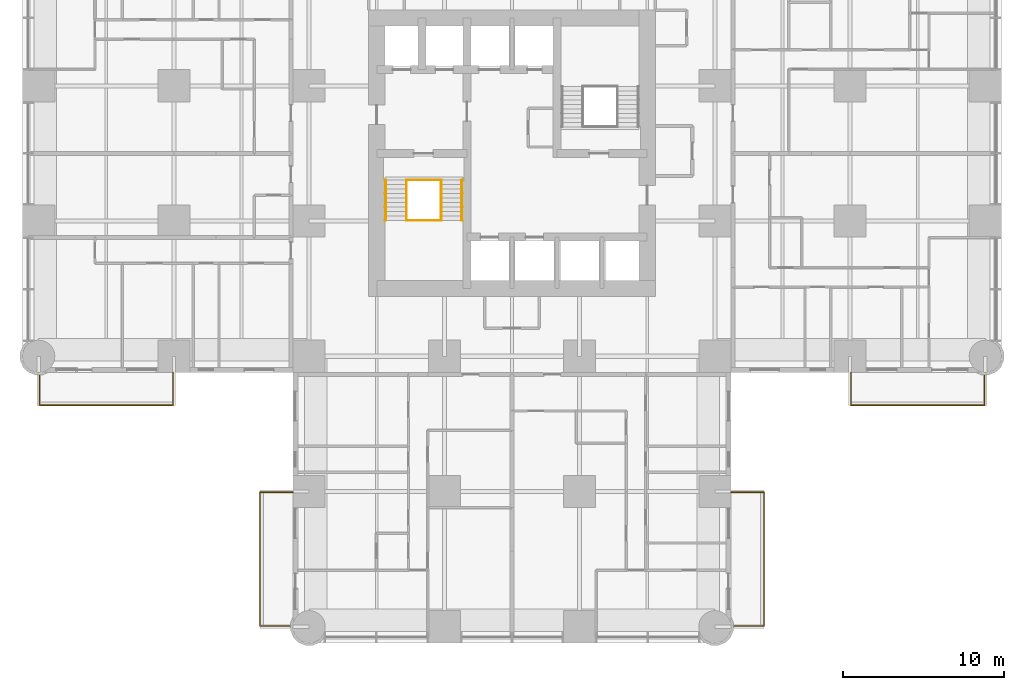
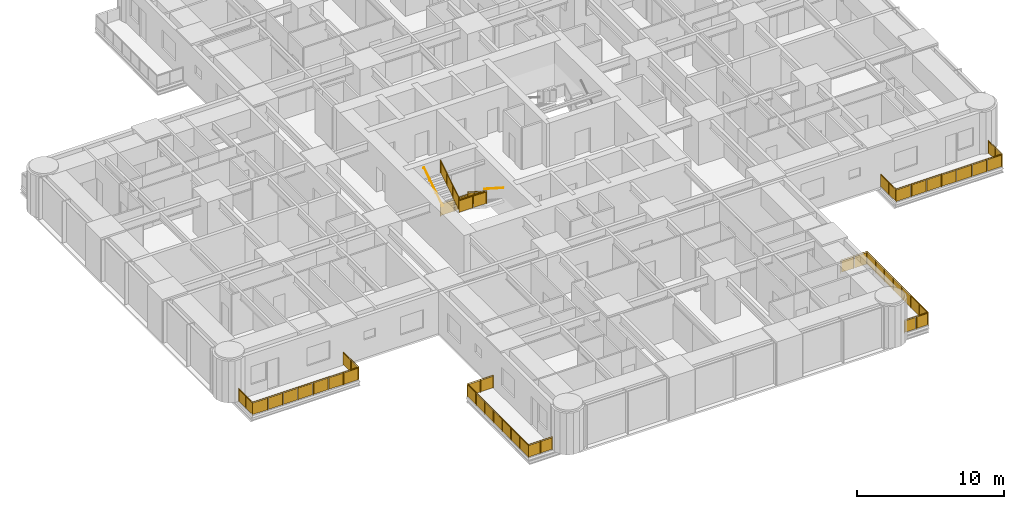
# One storey, part 16 of 17: 10 railings.
"""IFC4 building model written with IfcOpenShell, lengths in metres."""

from ifc_helpers import new_model, si_unit, direction, frame, origin, origin_2d, place, context, subcontext, project, spatial, polyline, circle, outline, extrude, material, constituent, constituent_set, type_object, element, save


model = new_model("IFC4")

# Units and contexts
model_context = context("Model", 3, precision=1e-05, world=origin(), true_north=direction((0.0, 1.0)))
body_context = subcontext(model_context, "Body", "Model", "MODEL_VIEW")
ifc_project = project(units=[si_unit("LENGTHUNIT", "METRE"), si_unit("AREAUNIT", "SQUARE_METRE"), si_unit("VOLUMEUNIT", "CUBIC_METRE"), si_unit("PLANEANGLEUNIT", "RADIAN"), si_unit("MASSUNIT", "GRAM", prefix="KILO")], contexts=[model_context])

# Site, building, storey
site_placement = place(None, origin())
site = spatial("IfcSite", under=ifc_project, at=site_placement, CompositionType="ELEMENT")
building_placement = place(site_placement, origin())
building = spatial("IfcBuilding", under=site, at=building_placement, Name="Torre Alcanfor", CompositionType="ELEMENT")
storey_placement = place(building_placement, frame((0.0, 0.0, 95.699951171875)))
storey = spatial("IfcBuildingStorey", under=building, at=storey_placement, Name="L24", CompositionType="ELEMENT", Elevation=95.699951171875)

# Railings
ifc_material_1 = material(Name="Laminated safety glass", Category="glass")
ifc_constituent_1 = constituent(ifc_material_1, Name="Infill")
ifc_material_2 = material(Name="Stainless steel ASTM A554 Grade MT 316L tube", Category="steel")
ifc_constituent_2 = constituent(ifc_material_2, Name="Posts and rail")
ifc_constituent_set = constituent_set(constituents=[ifc_constituent_1, ifc_constituent_2], Name="Balcony guard glass 1100")
railing_type_1 = type_object("IfcRailingType", Name="Balcony guard glass 1100", PredefinedType="BALUSTRADE", material=ifc_constituent_set)
railing_1_placement = place(storey_placement, frame((50.449951171875, 15.800048828125, 0.0)))
element("IfcRailing", 1, at=railing_1_placement, inside=storey, type_object=railing_type_1, Name="Balcony guard L24-E2", PredefinedType="BALUSTRADE", context=body_context, shape_type="SweptSolid", body=[
    extrude(circle(Radius=0.02392578125, at=origin_2d()), frame((0.0, 0.0, 1.076171875), z_axis=(0.0, -1.0, 0.0), x_axis=(1.0, 0.0, 0.0)), (0.0, 0.0, 1.0), 2.050048828125),
    extrude(circle(Radius=0.02392578125, at=origin_2d()), frame((0.0, -2.050048828125, 1.076171875), z_axis=(1.0, 0.0, 0.0), x_axis=(0.0, 1.0, 0.0)), (0.0, 0.0, 1.0), 8.300048828125),
    extrude(circle(Radius=0.02392578125, at=origin_2d()), frame((8.300048828125, -2.050048828125, 1.076171875), z_axis=(0.0, 1.0, 0.0), x_axis=(-1.0, 0.0, 0.0)), (0.0, 0.0, 1.0), 1.868896484375),
    extrude(circle(Radius=0.02099609375, at=origin_2d()), origin(), (0.0, 0.0, 1.0), 1.052001953125),
    extrude(circle(Radius=0.02099609375, at=origin_2d()), frame((0.0, -1.02490234375, 0.0)), (0.0, 0.0, 1.0), 1.052001953125),
    extrude(circle(Radius=0.02099609375, at=origin_2d()), frame((0.0, -2.050048828125, 0.0)), (0.0, 0.0, 1.0), 1.052001953125),
    extrude(circle(Radius=0.02099609375, at=origin_2d()), frame((1.185791015625, -2.050048828125, 0.0)), (0.0, 0.0, 1.0), 1.052001953125),
    extrude(circle(Radius=0.02099609375, at=origin_2d()), frame((2.371337890625, -2.050048828125, 0.0)), (0.0, 0.0, 1.0), 1.052001953125),
    extrude(circle(Radius=0.02099609375, at=origin_2d()), frame((3.55712890625, -2.050048828125, 0.0)), (0.0, 0.0, 1.0), 1.052001953125),
    extrude(circle(Radius=0.02099609375, at=origin_2d()), frame((4.742919921875, -2.050048828125, 0.0)), (0.0, 0.0, 1.0), 1.052001953125),
    extrude(circle(Radius=0.02099609375, at=origin_2d()), frame((5.9287109375, -2.050048828125, 0.0)), (0.0, 0.0, 1.0), 1.052001953125),
    extrude(circle(Radius=0.02099609375, at=origin_2d()), frame((7.1142578125, -2.050048828125, 0.0)), (0.0, 0.0, 1.0), 1.052001953125),
    extrude(circle(Radius=0.02099609375, at=origin_2d()), frame((8.300048828125, -2.050048828125, 0.0)), (0.0, 0.0, 1.0), 1.052001953125),
    extrude(circle(Radius=0.02099609375, at=origin_2d()), frame((8.300048828125, -1.11572265625, 0.0)), (0.0, 0.0, 1.0), 1.052001953125),
    extrude(circle(Radius=0.02099609375, at=origin_2d()), frame((8.300048828125, -0.18115234375, 0.0)), (0.0, 0.0, 1.0), 1.052001953125),
    extrude(outline(polyline([(0.041015625, 0.050048828125), (0.984130859375, 0.050048828125), (0.984130859375, 1.001953125), (0.041015625, 1.001953125), (0.041015625, 0.050048828125)])), frame((0.005859375, 0.0, 0.0), z_axis=(-1.0, 0.0, 0.0), x_axis=(0.0, -1.0, 0.0)), (0.0, 0.0, 1.0), 0.011962890625),
    extrude(outline(polyline([(1.06591796875, 0.050048828125), (2.009033203125, 0.050048828125), (2.009033203125, 1.001953125), (1.06591796875, 1.001953125), (1.06591796875, 0.050048828125)])), frame((0.005859375, 0.0, 0.0), z_axis=(-1.0, 0.0, 0.0), x_axis=(0.0, -1.0, 0.0)), (0.0, 0.0, 1.0), 0.011962890625),
    extrude(outline(polyline([(0.041015625, 0.050048828125), (1.144775390625, 0.050048828125), (1.144775390625, 1.001953125), (0.041015625, 1.001953125), (0.041015625, 0.050048828125)])), frame((0.0, -2.0439453125, 0.0), z_axis=(0.0, -1.0, 0.0), x_axis=(1.0, 0.0, 0.0)), (0.0, 0.0, 1.0), 0.011962890625),
    extrude(outline(polyline([(1.226806640625, 0.050048828125), (2.330322265625, 0.050048828125), (2.330322265625, 1.001953125), (1.226806640625, 1.001953125), (1.226806640625, 0.050048828125)])), frame((0.0, -2.0439453125, 0.0), z_axis=(0.0, -1.0, 0.0), x_axis=(1.0, 0.0, 0.0)), (0.0, 0.0, 1.0), 0.011962890625),
    extrude(outline(polyline([(2.412353515625, 0.050048828125), (3.51611328125, 0.050048828125), (3.51611328125, 1.001953125), (2.412353515625, 1.001953125), (2.412353515625, 0.050048828125)])), frame((0.0, -2.0439453125, 0.0), z_axis=(0.0, -1.0, 0.0), x_axis=(1.0, 0.0, 0.0)), (0.0, 0.0, 1.0), 0.011962890625),
    extrude(outline(polyline([(3.59814453125, 0.050048828125), (4.701904296875, 0.050048828125), (4.701904296875, 1.001953125), (3.59814453125, 1.001953125), (3.59814453125, 0.050048828125)])), frame((0.0, -2.0439453125, 0.0), z_axis=(0.0, -1.0, 0.0), x_axis=(1.0, 0.0, 0.0)), (0.0, 0.0, 1.0), 0.011962890625),
    extrude(outline(polyline([(4.783935546875, 0.050048828125), (5.8876953125, 0.050048828125), (5.8876953125, 1.001953125), (4.783935546875, 1.001953125), (4.783935546875, 0.050048828125)])), frame((0.0, -2.0439453125, 0.0), z_axis=(0.0, -1.0, 0.0), x_axis=(1.0, 0.0, 0.0)), (0.0, 0.0, 1.0), 0.011962890625),
    extrude(outline(polyline([(5.9697265625, 0.050048828125), (7.0732421875, 0.050048828125), (7.0732421875, 1.001953125), (5.9697265625, 1.001953125), (5.9697265625, 0.050048828125)])), frame((0.0, -2.0439453125, 0.0), z_axis=(0.0, -1.0, 0.0), x_axis=(1.0, 0.0, 0.0)), (0.0, 0.0, 1.0), 0.011962890625),
    extrude(outline(polyline([(7.1552734375, 0.050048828125), (8.259033203125, 0.050048828125), (8.259033203125, 1.001953125), (7.1552734375, 1.001953125), (7.1552734375, 0.050048828125)])), frame((0.0, -2.0439453125, 0.0), z_axis=(0.0, -1.0, 0.0), x_axis=(1.0, 0.0, 0.0)), (0.0, 0.0, 1.0), 0.011962890625),
    extrude(outline(polyline([(0.041015625, 0.050048828125), (0.8935546875, 0.050048828125), (0.8935546875, 1.001953125), (0.041015625, 1.001953125), (0.041015625, 0.050048828125)])), frame((8.2939453125, -2.050048828125, 0.0), z_axis=(1.0, 0.0, 0.0), x_axis=(0.0, 1.0, 0.0)), (0.0, 0.0, 1.0), 0.011962890625),
    extrude(outline(polyline([(0.975341796875, 0.050048828125), (1.827880859375, 0.050048828125), (1.827880859375, 1.001953125), (0.975341796875, 1.001953125), (0.975341796875, 0.050048828125)])), frame((8.2939453125, -2.050048828125, 0.0), z_axis=(1.0, 0.0, 0.0), x_axis=(0.0, 1.0, 0.0)), (0.0, 0.0, 1.0), 0.011962890625),
])
railing_2_placement = place(storey_placement, frame((43.0, 8.35009765625, 0.0)))
element("IfcRailing", 2, at=railing_2_placement, inside=storey, type_object=railing_type_1, Name="Balcony guard L24-S1", PredefinedType="BALUSTRADE", context=body_context, shape_type="SweptSolid", body=[
    extrude(circle(Radius=0.02392578125, at=origin_2d()), frame((0.0, 0.0, 1.076171875), z_axis=(1.0, 0.0, 0.0), x_axis=(0.0, 1.0, 0.0)), (0.0, 0.0, 1.0), 2.050048828125),
    extrude(circle(Radius=0.02392578125, at=origin_2d()), frame((2.050048828125, 0.0, 1.076171875), z_axis=(0.0, -1.0, 0.0), x_axis=(1.0, 0.0, 0.0)), (0.0, 0.0, 1.0), 8.300048828125),
    extrude(circle(Radius=0.02392578125, at=origin_2d()), frame((2.050048828125, -8.300048828125, 1.076171875), z_axis=(-1.0, 0.0, 0.0), x_axis=(0.0, -1.0, 0.0)), (0.0, 0.0, 1.0), 1.869140625),
    extrude(circle(Radius=0.02099609375, at=origin_2d()), origin(), (0.0, 0.0, 1.0), 1.052001953125),
    extrude(circle(Radius=0.02099609375, at=origin_2d()), frame((1.02490234375, 0.0, 0.0)), (0.0, 0.0, 1.0), 1.052001953125),
    extrude(circle(Radius=0.02099609375, at=origin_2d()), frame((2.050048828125, 0.0, 0.0)), (0.0, 0.0, 1.0), 1.052001953125),
    extrude(circle(Radius=0.02099609375, at=origin_2d()), frame((2.050048828125, -1.185791015625, 0.0)), (0.0, 0.0, 1.0), 1.052001953125),
    extrude(circle(Radius=0.02099609375, at=origin_2d()), frame((2.050048828125, -2.371337890625, 0.0)), (0.0, 0.0, 1.0), 1.052001953125),
    extrude(circle(Radius=0.02099609375, at=origin_2d()), frame((2.050048828125, -3.55712890625, 0.0)), (0.0, 0.0, 1.0), 1.052001953125),
    extrude(circle(Radius=0.02099609375, at=origin_2d()), frame((2.050048828125, -4.742919921875, 0.0)), (0.0, 0.0, 1.0), 1.052001953125),
    extrude(circle(Radius=0.02099609375, at=origin_2d()), frame((2.050048828125, -5.9287109375, 0.0)), (0.0, 0.0, 1.0), 1.052001953125),
    extrude(circle(Radius=0.02099609375, at=origin_2d()), frame((2.050048828125, -7.1142578125, 0.0)), (0.0, 0.0, 1.0), 1.052001953125),
    extrude(circle(Radius=0.02099609375, at=origin_2d()), frame((2.050048828125, -8.300048828125, 0.0)), (0.0, 0.0, 1.0), 1.052001953125),
    extrude(circle(Radius=0.02099609375, at=origin_2d()), frame((1.115478515625, -8.300048828125, 0.0)), (0.0, 0.0, 1.0), 1.052001953125),
    extrude(circle(Radius=0.02099609375, at=origin_2d()), frame((0.180908203125, -8.300048828125, 0.0)), (0.0, 0.0, 1.0), 1.052001953125),
    extrude(outline(polyline([(0.041015625, 0.050048828125), (0.984130859375, 0.050048828125), (0.984130859375, 1.001953125), (0.041015625, 1.001953125), (0.041015625, 0.050048828125)])), frame((0.0, 0.005859375, 0.0), z_axis=(0.0, -1.0, 0.0), x_axis=(1.0, 0.0, 0.0)), (0.0, 0.0, 1.0), 0.011962890625),
    extrude(outline(polyline([(1.06591796875, 0.050048828125), (2.009033203125, 0.050048828125), (2.009033203125, 1.001953125), (1.06591796875, 1.001953125), (1.06591796875, 0.050048828125)])), frame((0.0, 0.005859375, 0.0), z_axis=(0.0, -1.0, 0.0), x_axis=(1.0, 0.0, 0.0)), (0.0, 0.0, 1.0), 0.011962890625),
    extrude(outline(polyline([(0.041015625, 0.050048828125), (1.144775390625, 0.050048828125), (1.144775390625, 1.001953125), (0.041015625, 1.001953125), (0.041015625, 0.050048828125)])), frame((2.05615234375, 0.0, 0.0), z_axis=(-1.0, 0.0, 0.0), x_axis=(0.0, -1.0, 0.0)), (0.0, 0.0, 1.0), 0.011962890625),
    extrude(outline(polyline([(1.226806640625, 0.050048828125), (2.330322265625, 0.050048828125), (2.330322265625, 1.001953125), (1.226806640625, 1.001953125), (1.226806640625, 0.050048828125)])), frame((2.05615234375, 0.0, 0.0), z_axis=(-1.0, 0.0, 0.0), x_axis=(0.0, -1.0, 0.0)), (0.0, 0.0, 1.0), 0.011962890625),
    extrude(outline(polyline([(2.412353515625, 0.050048828125), (3.51611328125, 0.050048828125), (3.51611328125, 1.001953125), (2.412353515625, 1.001953125), (2.412353515625, 0.050048828125)])), frame((2.05615234375, 0.0, 0.0), z_axis=(-1.0, 0.0, 0.0), x_axis=(0.0, -1.0, 0.0)), (0.0, 0.0, 1.0), 0.011962890625),
    extrude(outline(polyline([(3.59814453125, 0.050048828125), (4.701904296875, 0.050048828125), (4.701904296875, 1.001953125), (3.59814453125, 1.001953125), (3.59814453125, 0.050048828125)])), frame((2.05615234375, 0.0, 0.0), z_axis=(-1.0, 0.0, 0.0), x_axis=(0.0, -1.0, 0.0)), (0.0, 0.0, 1.0), 0.011962890625),
    extrude(outline(polyline([(4.783935546875, 0.050048828125), (5.8876953125, 0.050048828125), (5.8876953125, 1.001953125), (4.783935546875, 1.001953125), (4.783935546875, 0.050048828125)])), frame((2.05615234375, 0.0, 0.0), z_axis=(-1.0, 0.0, 0.0), x_axis=(0.0, -1.0, 0.0)), (0.0, 0.0, 1.0), 0.011962890625),
    extrude(outline(polyline([(5.9697265625, 0.050048828125), (7.0732421875, 0.050048828125), (7.0732421875, 1.001953125), (5.9697265625, 1.001953125), (5.9697265625, 0.050048828125)])), frame((2.05615234375, 0.0, 0.0), z_axis=(-1.0, 0.0, 0.0), x_axis=(0.0, -1.0, 0.0)), (0.0, 0.0, 1.0), 0.011962890625),
    extrude(outline(polyline([(7.1552734375, 0.050048828125), (8.259033203125, 0.050048828125), (8.259033203125, 1.001953125), (7.1552734375, 1.001953125), (7.1552734375, 0.050048828125)])), frame((2.05615234375, 0.0, 0.0), z_axis=(-1.0, 0.0, 0.0), x_axis=(0.0, -1.0, 0.0)), (0.0, 0.0, 1.0), 0.011962890625),
    extrude(outline(polyline([(0.041015625, 0.050048828125), (0.8935546875, 0.050048828125), (0.8935546875, 1.001953125), (0.041015625, 1.001953125), (0.041015625, 0.050048828125)])), frame((2.050048828125, -8.30615234375, 0.0), z_axis=(0.0, 1.0, 0.0), x_axis=(-1.0, 0.0, 0.0)), (0.0, 0.0, 1.0), 0.011962890625),
    extrude(outline(polyline([(0.9755859375, 0.050048828125), (1.828125, 0.050048828125), (1.828125, 1.001953125), (0.9755859375, 1.001953125), (0.9755859375, 0.050048828125)])), frame((2.050048828125, -8.30615234375, 0.0), z_axis=(0.0, 1.0, 0.0), x_axis=(-1.0, 0.0, 0.0)), (0.0, 0.0, 1.0), 0.011962890625),
])
railing_3_placement = place(storey_placement, frame((15.800048828125, 8.35009765625, 0.0)))
element("IfcRailing", 3, at=railing_3_placement, inside=storey, type_object=railing_type_1, Name="Balcony guard L24-S2", PredefinedType="BALUSTRADE", context=body_context, shape_type="SweptSolid", body=[
    extrude(circle(Radius=0.02392578125, at=origin_2d()), frame((0.0, 0.0, 1.076171875), z_axis=(-1.0, 0.0, 0.0), x_axis=(0.0, -1.0, 0.0)), (0.0, 0.0, 1.0), 2.050048828125),
    extrude(circle(Radius=0.02392578125, at=origin_2d()), frame((-2.050048828125, 0.0, 1.076171875), z_axis=(0.0, -1.0, 0.0), x_axis=(1.0, 0.0, 0.0)), (0.0, 0.0, 1.0), 8.300048828125),
    extrude(circle(Radius=0.02392578125, at=origin_2d()), frame((-2.050048828125, -8.300048828125, 1.076171875), z_axis=(1.0, 0.0, 0.0), x_axis=(0.0, 1.0, 0.0)), (0.0, 0.0, 1.0), 1.868896484375),
    extrude(circle(Radius=0.02099609375, at=origin_2d()), origin(), (0.0, 0.0, 1.0), 1.052001953125),
    extrude(circle(Radius=0.02099609375, at=origin_2d()), frame((-1.02490234375, 0.0, 0.0)), (0.0, 0.0, 1.0), 1.052001953125),
    extrude(circle(Radius=0.02099609375, at=origin_2d()), frame((-2.050048828125, 0.0, 0.0)), (0.0, 0.0, 1.0), 1.052001953125),
    extrude(circle(Radius=0.02099609375, at=origin_2d()), frame((-2.050048828125, -1.185791015625, 0.0)), (0.0, 0.0, 1.0), 1.052001953125),
    extrude(circle(Radius=0.02099609375, at=origin_2d()), frame((-2.050048828125, -2.371337890625, 0.0)), (0.0, 0.0, 1.0), 1.052001953125),
    extrude(circle(Radius=0.02099609375, at=origin_2d()), frame((-2.050048828125, -3.55712890625, 0.0)), (0.0, 0.0, 1.0), 1.052001953125),
    extrude(circle(Radius=0.02099609375, at=origin_2d()), frame((-2.050048828125, -4.742919921875, 0.0)), (0.0, 0.0, 1.0), 1.052001953125),
    extrude(circle(Radius=0.02099609375, at=origin_2d()), frame((-2.050048828125, -5.9287109375, 0.0)), (0.0, 0.0, 1.0), 1.052001953125),
    extrude(circle(Radius=0.02099609375, at=origin_2d()), frame((-2.050048828125, -7.1142578125, 0.0)), (0.0, 0.0, 1.0), 1.052001953125),
    extrude(circle(Radius=0.02099609375, at=origin_2d()), frame((-2.050048828125, -8.300048828125, 0.0)), (0.0, 0.0, 1.0), 1.052001953125),
    extrude(circle(Radius=0.02099609375, at=origin_2d()), frame((-1.11572265625, -8.300048828125, 0.0)), (0.0, 0.0, 1.0), 1.052001953125),
    extrude(circle(Radius=0.02099609375, at=origin_2d()), frame((-0.18115234375, -8.300048828125, 0.0)), (0.0, 0.0, 1.0), 1.052001953125),
    extrude(outline(polyline([(0.041015625, 0.050048828125), (0.984130859375, 0.050048828125), (0.984130859375, 1.001953125), (0.041015625, 1.001953125), (0.041015625, 0.050048828125)])), frame((0.0, -0.005859375, 0.0), z_axis=(0.0, 1.0, 0.0), x_axis=(-1.0, 0.0, 0.0)), (0.0, 0.0, 1.0), 0.011962890625),
    extrude(outline(polyline([(1.06591796875, 0.050048828125), (2.009033203125, 0.050048828125), (2.009033203125, 1.001953125), (1.06591796875, 1.001953125), (1.06591796875, 0.050048828125)])), frame((0.0, -0.005859375, 0.0), z_axis=(0.0, 1.0, 0.0), x_axis=(-1.0, 0.0, 0.0)), (0.0, 0.0, 1.0), 0.011962890625),
    extrude(outline(polyline([(0.041015625, 0.050048828125), (1.144775390625, 0.050048828125), (1.144775390625, 1.001953125), (0.041015625, 1.001953125), (0.041015625, 0.050048828125)])), frame((-2.0439453125, 0.0, 0.0), z_axis=(-1.0, 0.0, 0.0), x_axis=(0.0, -1.0, 0.0)), (0.0, 0.0, 1.0), 0.011962890625),
    extrude(outline(polyline([(1.226806640625, 0.050048828125), (2.330322265625, 0.050048828125), (2.330322265625, 1.001953125), (1.226806640625, 1.001953125), (1.226806640625, 0.050048828125)])), frame((-2.0439453125, 0.0, 0.0), z_axis=(-1.0, 0.0, 0.0), x_axis=(0.0, -1.0, 0.0)), (0.0, 0.0, 1.0), 0.011962890625),
    extrude(outline(polyline([(2.412353515625, 0.050048828125), (3.51611328125, 0.050048828125), (3.51611328125, 1.001953125), (2.412353515625, 1.001953125), (2.412353515625, 0.050048828125)])), frame((-2.0439453125, 0.0, 0.0), z_axis=(-1.0, 0.0, 0.0), x_axis=(0.0, -1.0, 0.0)), (0.0, 0.0, 1.0), 0.011962890625),
    extrude(outline(polyline([(3.59814453125, 0.050048828125), (4.701904296875, 0.050048828125), (4.701904296875, 1.001953125), (3.59814453125, 1.001953125), (3.59814453125, 0.050048828125)])), frame((-2.0439453125, 0.0, 0.0), z_axis=(-1.0, 0.0, 0.0), x_axis=(0.0, -1.0, 0.0)), (0.0, 0.0, 1.0), 0.011962890625),
    extrude(outline(polyline([(4.783935546875, 0.050048828125), (5.8876953125, 0.050048828125), (5.8876953125, 1.001953125), (4.783935546875, 1.001953125), (4.783935546875, 0.050048828125)])), frame((-2.0439453125, 0.0, 0.0), z_axis=(-1.0, 0.0, 0.0), x_axis=(0.0, -1.0, 0.0)), (0.0, 0.0, 1.0), 0.011962890625),
    extrude(outline(polyline([(5.9697265625, 0.050048828125), (7.0732421875, 0.050048828125), (7.0732421875, 1.001953125), (5.9697265625, 1.001953125), (5.9697265625, 0.050048828125)])), frame((-2.0439453125, 0.0, 0.0), z_axis=(-1.0, 0.0, 0.0), x_axis=(0.0, -1.0, 0.0)), (0.0, 0.0, 1.0), 0.011962890625),
    extrude(outline(polyline([(7.1552734375, 0.050048828125), (8.259033203125, 0.050048828125), (8.259033203125, 1.001953125), (7.1552734375, 1.001953125), (7.1552734375, 0.050048828125)])), frame((-2.0439453125, 0.0, 0.0), z_axis=(-1.0, 0.0, 0.0), x_axis=(0.0, -1.0, 0.0)), (0.0, 0.0, 1.0), 0.011962890625),
    extrude(outline(polyline([(0.041015625, 0.050048828125), (0.8935546875, 0.050048828125), (0.8935546875, 1.001953125), (0.041015625, 1.001953125), (0.041015625, 0.050048828125)])), frame((-2.050048828125, -8.2939453125, 0.0), z_axis=(0.0, -1.0, 0.0), x_axis=(1.0, 0.0, 0.0)), (0.0, 0.0, 1.0), 0.011962890625),
    extrude(outline(polyline([(0.975341796875, 0.050048828125), (1.827880859375, 0.050048828125), (1.827880859375, 1.001953125), (0.975341796875, 1.001953125), (0.975341796875, 0.050048828125)])), frame((-2.050048828125, -8.2939453125, 0.0), z_axis=(0.0, -1.0, 0.0), x_axis=(1.0, 0.0, 0.0)), (0.0, 0.0, 1.0), 0.011962890625),
])
railing_4_placement = place(storey_placement, frame((8.35009765625, 15.800048828125, 0.0)))
element("IfcRailing", 4, at=railing_4_placement, inside=storey, type_object=railing_type_1, Name="Balcony guard L24-W1", PredefinedType="BALUSTRADE", context=body_context, shape_type="SweptSolid", body=[
    extrude(circle(Radius=0.02392578125, at=origin_2d()), frame((0.0, 0.0, 1.076171875), z_axis=(0.0, -1.0, 0.0), x_axis=(1.0, 0.0, 0.0)), (0.0, 0.0, 1.0), 2.050048828125),
    extrude(circle(Radius=0.02392578125, at=origin_2d()), frame((0.0, -2.050048828125, 1.076171875), z_axis=(-1.0, 0.0, 0.0), x_axis=(0.0, -1.0, 0.0)), (0.0, 0.0, 1.0), 8.300048828125),
    extrude(circle(Radius=0.02392578125, at=origin_2d()), frame((-8.300048828125, -2.050048828125, 1.076171875), z_axis=(0.0, 1.0, 0.0), x_axis=(-1.0, 0.0, 0.0)), (0.0, 0.0, 1.0), 1.868896484375),
    extrude(circle(Radius=0.02099609375, at=origin_2d()), origin(), (0.0, 0.0, 1.0), 1.052001953125),
    extrude(circle(Radius=0.02099609375, at=origin_2d()), frame((0.0, -1.02490234375, 0.0)), (0.0, 0.0, 1.0), 1.052001953125),
    extrude(circle(Radius=0.02099609375, at=origin_2d()), frame((0.0, -2.050048828125, 0.0)), (0.0, 0.0, 1.0), 1.052001953125),
    extrude(circle(Radius=0.02099609375, at=origin_2d()), frame((-1.185791015625, -2.050048828125, 0.0)), (0.0, 0.0, 1.0), 1.052001953125),
    extrude(circle(Radius=0.02099609375, at=origin_2d()), frame((-2.371337890625, -2.050048828125, 0.0)), (0.0, 0.0, 1.0), 1.052001953125),
    extrude(circle(Radius=0.02099609375, at=origin_2d()), frame((-3.55712890625, -2.050048828125, 0.0)), (0.0, 0.0, 1.0), 1.052001953125),
    extrude(circle(Radius=0.02099609375, at=origin_2d()), frame((-4.742919921875, -2.050048828125, 0.0)), (0.0, 0.0, 1.0), 1.052001953125),
    extrude(circle(Radius=0.02099609375, at=origin_2d()), frame((-5.9287109375, -2.050048828125, 0.0)), (0.0, 0.0, 1.0), 1.052001953125),
    extrude(circle(Radius=0.02099609375, at=origin_2d()), frame((-7.1142578125, -2.050048828125, 0.0)), (0.0, 0.0, 1.0), 1.052001953125),
    extrude(circle(Radius=0.02099609375, at=origin_2d()), frame((-8.300048828125, -2.050048828125, 0.0)), (0.0, 0.0, 1.0), 1.052001953125),
    extrude(circle(Radius=0.02099609375, at=origin_2d()), frame((-8.300048828125, -1.11572265625, 0.0)), (0.0, 0.0, 1.0), 1.052001953125),
    extrude(circle(Radius=0.02099609375, at=origin_2d()), frame((-8.300048828125, -0.18115234375, 0.0)), (0.0, 0.0, 1.0), 1.052001953125),
    extrude(outline(polyline([(0.041015625, 0.050048828125), (0.984130859375, 0.050048828125), (0.984130859375, 1.001953125), (0.041015625, 1.001953125), (0.041015625, 0.050048828125)])), frame((0.005859375, 0.0, 0.0), z_axis=(-1.0, 0.0, 0.0), x_axis=(0.0, -1.0, 0.0)), (0.0, 0.0, 1.0), 0.011962890625),
    extrude(outline(polyline([(1.06591796875, 0.050048828125), (2.009033203125, 0.050048828125), (2.009033203125, 1.001953125), (1.06591796875, 1.001953125), (1.06591796875, 0.050048828125)])), frame((0.005859375, 0.0, 0.0), z_axis=(-1.0, 0.0, 0.0), x_axis=(0.0, -1.0, 0.0)), (0.0, 0.0, 1.0), 0.011962890625),
    extrude(outline(polyline([(0.041015625, 0.050048828125), (1.144775390625, 0.050048828125), (1.144775390625, 1.001953125), (0.041015625, 1.001953125), (0.041015625, 0.050048828125)])), frame((0.0, -2.05615234375, 0.0), z_axis=(0.0, 1.0, 0.0), x_axis=(-1.0, 0.0, 0.0)), (0.0, 0.0, 1.0), 0.011962890625),
    extrude(outline(polyline([(1.226806640625, 0.050048828125), (2.330322265625, 0.050048828125), (2.330322265625, 1.001953125), (1.226806640625, 1.001953125), (1.226806640625, 0.050048828125)])), frame((0.0, -2.05615234375, 0.0), z_axis=(0.0, 1.0, 0.0), x_axis=(-1.0, 0.0, 0.0)), (0.0, 0.0, 1.0), 0.011962890625),
    extrude(outline(polyline([(2.412353515625, 0.050048828125), (3.51611328125, 0.050048828125), (3.51611328125, 1.001953125), (2.412353515625, 1.001953125), (2.412353515625, 0.050048828125)])), frame((0.0, -2.05615234375, 0.0), z_axis=(0.0, 1.0, 0.0), x_axis=(-1.0, 0.0, 0.0)), (0.0, 0.0, 1.0), 0.011962890625),
    extrude(outline(polyline([(3.59814453125, 0.050048828125), (4.701904296875, 0.050048828125), (4.701904296875, 1.001953125), (3.59814453125, 1.001953125), (3.59814453125, 0.050048828125)])), frame((0.0, -2.05615234375, 0.0), z_axis=(0.0, 1.0, 0.0), x_axis=(-1.0, 0.0, 0.0)), (0.0, 0.0, 1.0), 0.011962890625),
    extrude(outline(polyline([(4.783935546875, 0.050048828125), (5.8876953125, 0.050048828125), (5.8876953125, 1.001953125), (4.783935546875, 1.001953125), (4.783935546875, 0.050048828125)])), frame((0.0, -2.05615234375, 0.0), z_axis=(0.0, 1.0, 0.0), x_axis=(-1.0, 0.0, 0.0)), (0.0, 0.0, 1.0), 0.011962890625),
    extrude(outline(polyline([(5.9697265625, 0.050048828125), (7.0732421875, 0.050048828125), (7.0732421875, 1.001953125), (5.9697265625, 1.001953125), (5.9697265625, 0.050048828125)])), frame((0.0, -2.05615234375, 0.0), z_axis=(0.0, 1.0, 0.0), x_axis=(-1.0, 0.0, 0.0)), (0.0, 0.0, 1.0), 0.011962890625),
    extrude(outline(polyline([(7.1552734375, 0.050048828125), (8.259033203125, 0.050048828125), (8.259033203125, 1.001953125), (7.1552734375, 1.001953125), (7.1552734375, 0.050048828125)])), frame((0.0, -2.05615234375, 0.0), z_axis=(0.0, 1.0, 0.0), x_axis=(-1.0, 0.0, 0.0)), (0.0, 0.0, 1.0), 0.011962890625),
    extrude(outline(polyline([(0.041015625, 0.050048828125), (0.8935546875, 0.050048828125), (0.8935546875, 1.001953125), (0.041015625, 1.001953125), (0.041015625, 0.050048828125)])), frame((-8.30615234375, -2.050048828125, 0.0), z_axis=(1.0, 0.0, 0.0), x_axis=(0.0, 1.0, 0.0)), (0.0, 0.0, 1.0), 0.011962890625),
    extrude(outline(polyline([(0.975341796875, 0.050048828125), (1.827880859375, 0.050048828125), (1.827880859375, 1.001953125), (0.975341796875, 1.001953125), (0.975341796875, 0.050048828125)])), frame((-8.30615234375, -2.050048828125, 0.0), z_axis=(1.0, 0.0, 0.0), x_axis=(0.0, 1.0, 0.0)), (0.0, 0.0, 1.0), 0.011962890625),
])
ifc_material_3 = material(Name="Steel ASTM A500 Grade C hollow sections", Category="steel")
railing_type_2 = type_object("IfcRailingType", Name="Stair guard and handrail 1100", PredefinedType="GUARDRAIL", material=ifc_material_3)
railing_5_placement = place(storey_placement, frame((25.0, 27.75, 0.179931640625)))
element("IfcRailing", 5, at=railing_5_placement, inside=storey, type_object=railing_type_2, Name="Stair guard S1 L24 flight 1", PredefinedType="GUARDRAIL", context=body_context, shape_type="SweptSolid", body=[
    extrude(circle(Radius=0.02392578125, at=origin_2d()), frame((0.0, 0.0, 1.076171875), z_axis=(0.0, -0.841162588446, 0.540782303519), x_axis=(1.0, 0.0, 0.0)), (0.0, 0.0, 1.0), 2.995849609375),
    extrude(circle(Radius=0.02099609375, at=origin_2d()), origin(), (0.0, 0.0, 1.0), 1.052001953125),
    extrude(circle(Radius=0.02099609375, at=origin_2d()), frame((0.0, -0.840087890625, 0.5400390625)), (0.0, 0.0, 1.0), 1.052001953125),
    extrude(circle(Radius=0.02099609375, at=origin_2d()), frame((0.0, -1.679931640625, 1.080078125)), (0.0, 0.0, 1.0), 1.052001953125),
    extrude(circle(Radius=0.02099609375, at=origin_2d()), frame((0.0, -2.52001953125, 1.6201171875)), (0.0, 0.0, 1.0), 1.052001953125),
    extrude(outline(polyline([(0.041015625, 0.076416015625), (0.799072265625, 0.563720703125), (0.799072265625, 1.515625), (0.041015625, 1.0283203125), (0.041015625, 0.076416015625)])), frame((0.005859375, 0.0, 0.0), z_axis=(-1.0, 0.0, 0.0), x_axis=(0.0, -1.0, 0.0)), (0.0, 0.0, 1.0), 0.011962890625),
    extrude(outline(polyline([(0.881103515625, 0.616455078125), (1.638916015625, 1.103759765625), (1.638916015625, 2.0556640625), (0.881103515625, 1.568359375), (0.881103515625, 0.616455078125)])), frame((0.005859375, 0.0, 0.0), z_axis=(-1.0, 0.0, 0.0), x_axis=(0.0, -1.0, 0.0)), (0.0, 0.0, 1.0), 0.011962890625),
    extrude(outline(polyline([(1.720947265625, 1.156494140625), (2.47900390625, 1.643798828125), (2.47900390625, 2.595703125), (1.720947265625, 2.1083984375), (1.720947265625, 1.156494140625)])), frame((0.005859375, 0.0, 0.0), z_axis=(-1.0, 0.0, 0.0), x_axis=(0.0, -1.0, 0.0)), (0.0, 0.0, 1.0), 0.011962890625),
])
railing_6_placement = place(storey_placement, frame((22.85009765625, 25.22998046875, 1.97998046875)))
element("IfcRailing", 6, at=railing_6_placement, inside=storey, type_object=railing_type_2, Name="Stair guard S1 L24 flight 2", PredefinedType="GUARDRAIL", context=body_context, shape_type="SweptSolid", body=[
    extrude(circle(Radius=0.02392578125, at=origin_2d()), frame((0.0, 0.0, 1.076171875), z_axis=(0.0, 0.841162588446, 0.540782303519), x_axis=(-1.0, 0.0, 0.0)), (0.0, 0.0, 1.0), 2.995849609375),
    extrude(circle(Radius=0.02099609375, at=origin_2d()), origin(), (0.0, 0.0, 1.0), 1.052001953125),
    extrude(circle(Radius=0.02099609375, at=origin_2d()), frame((0.0, 0.840087890625, 0.5400390625)), (0.0, 0.0, 1.0), 1.052001953125),
    extrude(circle(Radius=0.02099609375, at=origin_2d()), frame((0.0, 1.679931640625, 1.080078125)), (0.0, 0.0, 1.0), 1.052001953125),
    extrude(circle(Radius=0.02099609375, at=origin_2d()), frame((0.0, 2.52001953125, 1.6201171875)), (0.0, 0.0, 1.0), 1.052001953125),
    extrude(outline(polyline([(0.041015625, 0.076416015625), (0.799072265625, 0.563720703125), (0.799072265625, 1.515625), (0.041015625, 1.0283203125), (0.041015625, 0.076416015625)])), frame((-0.005859375, 0.0, 0.0), z_axis=(1.0, 0.0, 0.0), x_axis=(0.0, 1.0, 0.0)), (0.0, 0.0, 1.0), 0.011962890625),
    extrude(outline(polyline([(0.881103515625, 0.616455078125), (1.638916015625, 1.103759765625), (1.638916015625, 2.0556640625), (0.881103515625, 1.568359375), (0.881103515625, 0.616455078125)])), frame((-0.005859375, 0.0, 0.0), z_axis=(1.0, 0.0, 0.0), x_axis=(0.0, 1.0, 0.0)), (0.0, 0.0, 1.0), 0.011962890625),
    extrude(outline(polyline([(1.720947265625, 1.156494140625), (2.47900390625, 1.643798828125), (2.47900390625, 2.595703125), (1.720947265625, 2.1083984375), (1.720947265625, 1.156494140625)])), frame((-0.005859375, 0.0, 0.0), z_axis=(1.0, 0.0, 0.0), x_axis=(0.0, 1.0, 0.0)), (0.0, 0.0, 1.0), 0.011962890625),
])
for number, where, name in (
    (7, (22.85009765625, 27.75, 0.0), "Stair well guard S1 L24 floor landing"),
    (8, (22.85009765625, 25.22998046875, 1.800048828125), "Stair well guard S1 L24 half landing"),
):
    element("IfcRailing", number, at=place(storey_placement, frame(where)), inside=storey, type_object=railing_type_2, Name=name, PredefinedType="GUARDRAIL", context=body_context, shape_type="SweptSolid", body=[
        extrude(circle(Radius=0.02392578125, at=origin_2d()), frame((0.0, 0.0, 1.076171875), z_axis=(1.0, 0.0, 0.0), x_axis=(0.0, 1.0, 0.0)), (0.0, 0.0, 1.0), 2.14990234375),
        extrude(circle(Radius=0.02099609375, at=origin_2d()), origin(), (0.0, 0.0, 1.0), 1.052001953125),
        extrude(circle(Radius=0.02099609375, at=origin_2d()), frame((1.074951171875, 0.0, 0.0)), (0.0, 0.0, 1.0), 1.052001953125),
        extrude(circle(Radius=0.02099609375, at=origin_2d()), frame((2.14990234375, 0.0, 0.0)), (0.0, 0.0, 1.0), 1.052001953125),
        extrude(outline(polyline([(0.041015625, 0.050048828125), (1.033935546875, 0.050048828125), (1.033935546875, 1.001953125), (0.041015625, 1.001953125), (0.041015625, 0.050048828125)])), frame((0.0, 0.005859375, 0.0), z_axis=(0.0, -1.0, 0.0), x_axis=(1.0, 0.0, 0.0)), (0.0, 0.0, 1.0), 0.011962890625),
        extrude(outline(polyline([(1.115966796875, 0.050048828125), (2.10888671875, 0.050048828125), (2.10888671875, 1.001953125), (1.115966796875, 1.001953125), (1.115966796875, 0.050048828125)])), frame((0.0, 0.005859375, 0.0), z_axis=(0.0, -1.0, 0.0), x_axis=(1.0, 0.0, 0.0)), (0.0, 0.0, 1.0), 0.011962890625),
    ])
ifc_material_4 = material(Name="Steel ASTM A500 Grade C hollow sections", Category="steel")
railing_type_3 = type_object("IfcRailingType", Name="Stair wall handrail 900", PredefinedType="HANDRAIL", material=ifc_material_4)
railing_7_placement = place(storey_placement, frame((26.284912109375, 27.75, 0.179931640625)))
element("IfcRailing", 9, at=railing_7_placement, inside=storey, type_object=railing_type_3, Name="Stair handrail S1 L24 flight 1", PredefinedType="HANDRAIL", context=body_context, shape_type="SweptSolid", body=[
    extrude(circle(Radius=0.02392578125, at=origin_2d()), frame((0.0, 0.0, 0.8759765625), z_axis=(0.0, -0.841162588446, 0.540782303519), x_axis=(1.0, 0.0, 0.0)), (0.0, 0.0, 1.0), 2.995849609375),
    extrude(circle(Radius=0.008056640625, at=origin_2d()), frame((0.0, 0.0, 0.8759765625), z_axis=(1.0, 0.0, 0.0), x_axis=(0.0, 0.0, 1.0)), (0.0, 0.0, 1.0), 0.06494140625),
    extrude(circle(Radius=0.008056640625, at=origin_2d()), frame((0.0, -0.840087890625, 1.416015625), z_axis=(1.0, 0.0, 0.0), x_axis=(0.0, 0.0, 1.0)), (0.0, 0.0, 1.0), 0.06494140625),
    extrude(circle(Radius=0.008056640625, at=origin_2d()), frame((0.0, -1.679931640625, 1.9560546875), z_axis=(1.0, 0.0, 0.0), x_axis=(0.0, 0.0, 1.0)), (0.0, 0.0, 1.0), 0.06494140625),
    extrude(circle(Radius=0.008056640625, at=origin_2d()), frame((0.0, -2.52001953125, 2.49609375), z_axis=(1.0, 0.0, 0.0), x_axis=(0.0, 0.0, 1.0)), (0.0, 0.0, 1.0), 0.06494140625),
])
railing_8_placement = place(storey_placement, frame((21.56494140625, 25.22998046875, 1.97998046875)))
element("IfcRailing", 10, at=railing_8_placement, inside=storey, type_object=railing_type_3, Name="Stair handrail S1 L24 flight 2", PredefinedType="HANDRAIL", context=body_context, shape_type="SweptSolid", body=[
    extrude(circle(Radius=0.02392578125, at=origin_2d()), frame((0.0, 0.0, 0.8759765625), z_axis=(0.0, 0.841162588446, 0.540782303519), x_axis=(-1.0, 0.0, 0.0)), (0.0, 0.0, 1.0), 2.995849609375),
    extrude(circle(Radius=0.008056640625, at=origin_2d()), frame((0.0, 0.0, 0.8759765625), z_axis=(-1.0, 0.0, 0.0), x_axis=(0.0, 0.0, 1.0)), (0.0, 0.0, 1.0), 0.06494140625),
    extrude(circle(Radius=0.008056640625, at=origin_2d()), frame((0.0, 0.840087890625, 1.416015625), z_axis=(-1.0, 0.0, 0.0), x_axis=(0.0, 0.0, 1.0)), (0.0, 0.0, 1.0), 0.06494140625),
    extrude(circle(Radius=0.008056640625, at=origin_2d()), frame((0.0, 1.679931640625, 1.9560546875), z_axis=(-1.0, 0.0, 0.0), x_axis=(0.0, 0.0, 1.0)), (0.0, 0.0, 1.0), 0.06494140625),
    extrude(circle(Radius=0.008056640625, at=origin_2d()), frame((0.0, 2.52001953125, 2.49609375), z_axis=(-1.0, 0.0, 0.0), x_axis=(0.0, 0.0, 1.0)), (0.0, 0.0, 1.0), 0.06494140625),
])

save(model, "model.ifc")
